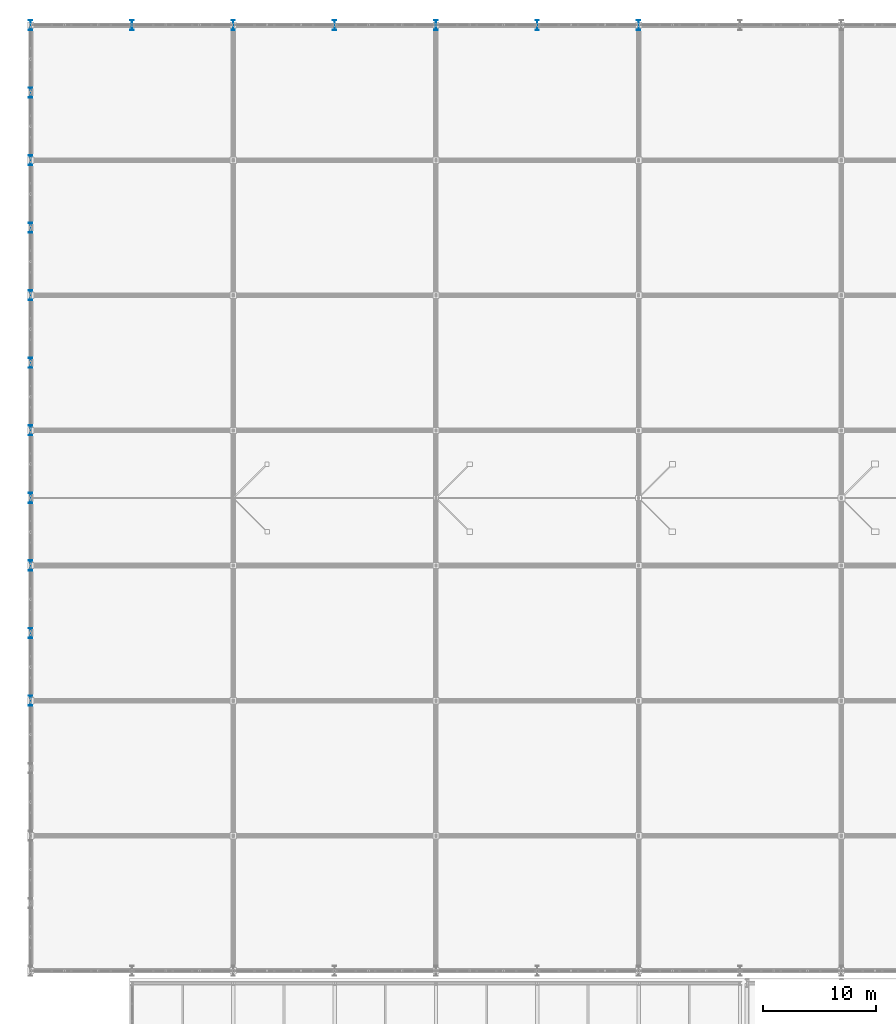
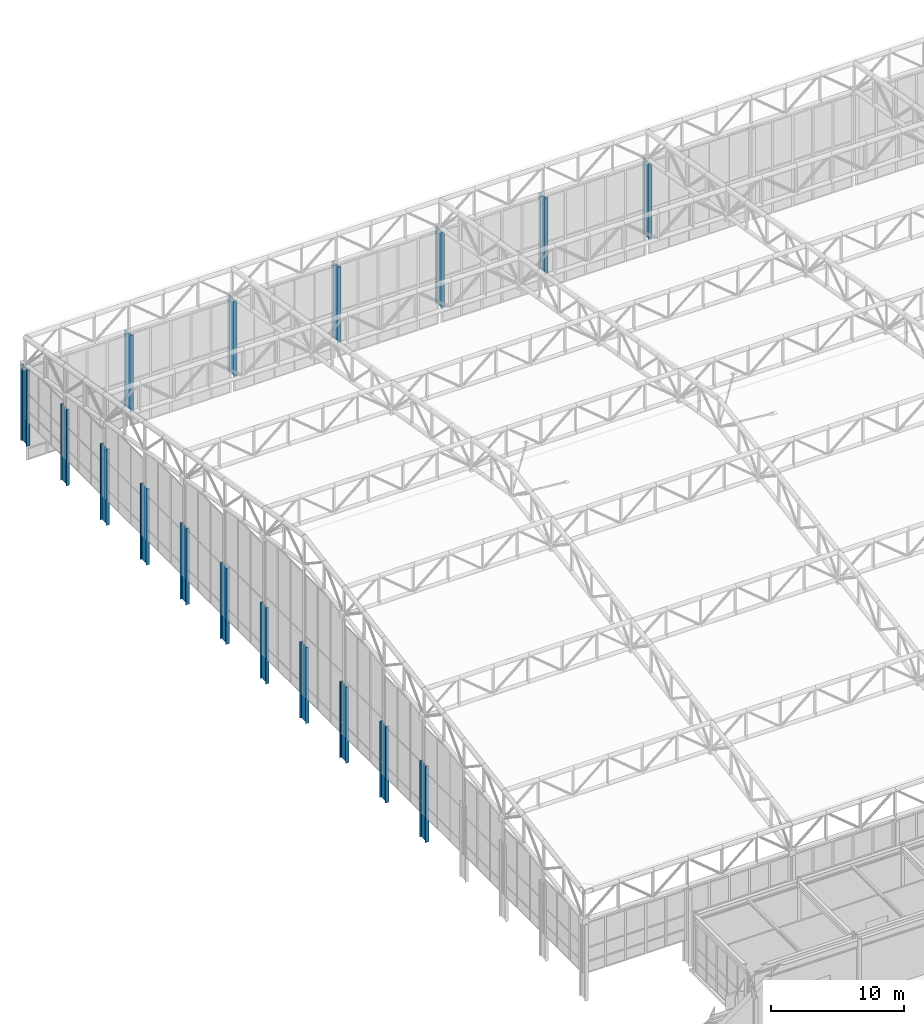
# One storey, part 11 of 239: 17 columns.
"""IFC4 building model written with IfcOpenShell, lengths in metres."""

from ifc_helpers import new_model, si_unit, direction, frame, origin, origin_2d, place, context, subcontext, project, spatial, i_section, extrude, material, material_profile, profile_set, type_object, element, save


model = new_model("IFC4")

# Units and contexts
model_context = context("Model", 3, precision=1e-05, world=origin(), true_north=direction((0.0, 1.0)))
body_context = subcontext(model_context, "Body", "Model", "MODEL_VIEW")
ifc_project = project(units=[si_unit("LENGTHUNIT", "METRE"), si_unit("AREAUNIT", "SQUARE_METRE"), si_unit("VOLUMEUNIT", "CUBIC_METRE"), si_unit("PLANEANGLEUNIT", "RADIAN"), si_unit("MASSUNIT", "GRAM", prefix="KILO")], contexts=[model_context])

# Site, building, storey
site_placement = place(None, origin())
site = spatial("IfcSite", under=ifc_project, at=site_placement, CompositionType="ELEMENT")
building_placement = place(site_placement, origin())
building = spatial("IfcBuilding", under=site, at=building_placement, Name="Kaldris Quays Convention Centre", CompositionType="ELEMENT")
storey_placement = place(building_placement, frame((0.0, 0.0, 11.39990234375)))
storey = spatial("IfcBuildingStorey", under=building, at=storey_placement, Name="L02", CompositionType="ELEMENT", Elevation=11.39990234375)

# Columns
ifc_material = material(Name="Steel S355J2", Category="steel")
ifc_material_profile = material_profile(ifc_material, i_section(OverallWidth=0.300048828125, OverallDepth=0.89990234375, WebThickness=0.0185546875, FlangeThickness=0.034912109375, FilletRadius=0.030029296875, at=origin_2d()), Name="HEB 900")
ifc_profile_set = profile_set([ifc_material_profile], Name="Steel S355J2")
column_type = type_object("IfcColumnType", Name="STRUCTURAL COLUMN CL03", PredefinedType="COLUMN", material=ifc_profile_set)
for number, where, z_axis, x_axis, name in (
    (1, (20.0, 80.0, 0.0), (0.0, 0.0, 1.0), (1.0, 0.0, 0.0), "L02 V1 Column CL03 (20.00, 80.00)"),
    (2, (20.0, 86.0, 0.0), (0.0, 0.0, 1.0), (1.0, 0.0, 0.0), "L02 V1 Column CL03 (20.00, 86.00)"),
    (3, (20.0, 92.0, 0.0), (0.0, 0.0, 1.0), (1.0, 0.0, 0.0), "L02 V1 Column CL03 (20.00, 92.00)"),
    (4, (20.0, 98.0, 0.0), (0.0, 0.0, 1.0), (1.0, 0.0, 0.0), "L02 V1 Column CL03 (20.00, 98.00)"),
    (5, (20.0, 104.0, 0.0), (0.0, 0.0, 1.0), (1.0, 0.0, 0.0), "L02 V1 Column CL03 (20.00, 104.00)"),
    (6, (20.0, 110.0, 0.0), (0.0, 0.0, 1.0), (1.0, 0.0, 0.0), "L02 V1 Column CL03 (20.00, 110.00)"),
    (7, (20.0, 116.0, 0.0), (0.0, 0.0, 1.0), (1.0, 0.0, 0.0), "L02 V1 Column CL03 (20.00, 116.00)"),
    (8, (20.0, 122.0, 0.0), (0.0, 0.0, 1.0), (1.0, 0.0, 0.0), "L02 V1 Column CL03 (20.00, 122.00)"),
    (9, (20.0, 128.0, 0.0), (0.0, 0.0, 1.0), (1.0, 0.0, 0.0), "L02 V1 Column CL03 (20.00, 128.00)"),
    (10, (20.0, 134.0, 0.0), (0.0, 0.0, 1.0), (1.0, 0.0, 0.0), "L02 V1 Column CL03 (20.00, 134.00)"),
    (11, (20.0, 140.0, 0.0), (0.0, 0.0, 1.0), (1.0, 0.0, 0.0), "L02 V1 Column CL03 (20.00, 140.00)"),
    (12, (29.0, 140.0, 0.0), (0.0, 0.0, 1.0), (1.0, 0.0, 0.0), "L02 V1 Column CL03 (29.00, 140.00)"),
    (13, (38.0, 140.0, 0.0), (0.0, 0.0, 1.0), (1.0, 0.0, 0.0), "L02 V1 Column CL03 (38.00, 140.00)"),
    (14, (47.0, 140.0, 0.0), (0.0, 0.0, 1.0), (1.0, 0.0, 0.0), "L02 V1 Column CL03 (47.00, 140.00)"),
    (15, (56.0, 140.0, 0.0), (0.0, 0.0, 1.0), (1.0, 0.0, 0.0), "L02 V1 Column CL03 (56.00, 140.00)"),
    (16, (65.0, 140.0, 0.0), (0.0, 0.0, 1.0), (1.0, 0.0, 0.0), "L02 V1 Column CL03 (65.00, 140.00)"),
    (17, (74.0, 140.0, 0.0), (0.0, 0.0, 1.0), (1.0, 0.0, 0.0), "L02 V1 Column CL03 (74.00, 140.00)"),
):
    element("IfcColumn", number, at=place(storey_placement, frame(where, z_axis=z_axis, x_axis=x_axis)), inside=storey, type_object=column_type, Name=name, PredefinedType="COLUMN", context=body_context, shape_type="SweptSolid", body=[
        extrude(i_section(OverallWidth=0.300048828125, OverallDepth=0.89990234375, WebThickness=0.0185546875, FlangeThickness=0.034912109375, FilletRadius=0.030029296875, at=origin_2d()), origin(), (0.0, 0.0, 1.0), 7.0),
    ])

save(model, "model.ifc")
